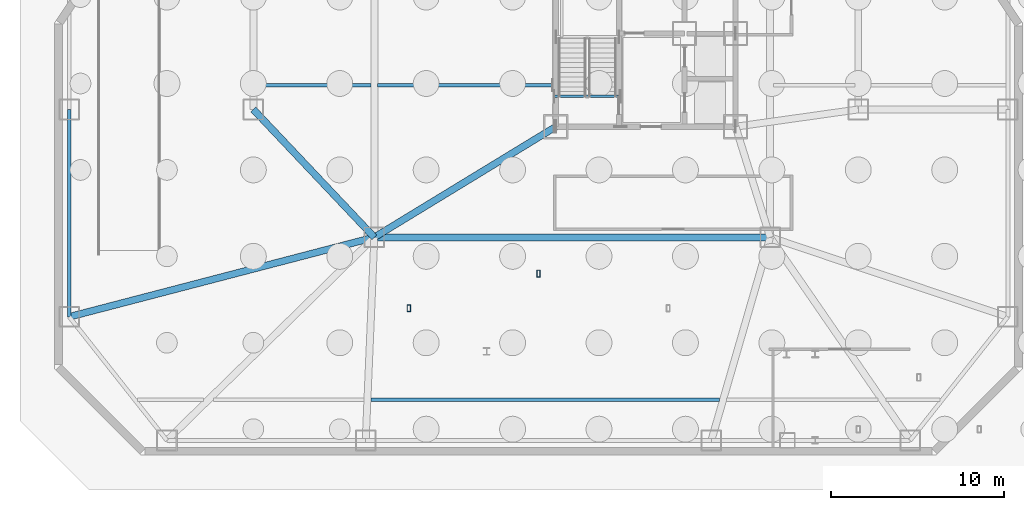
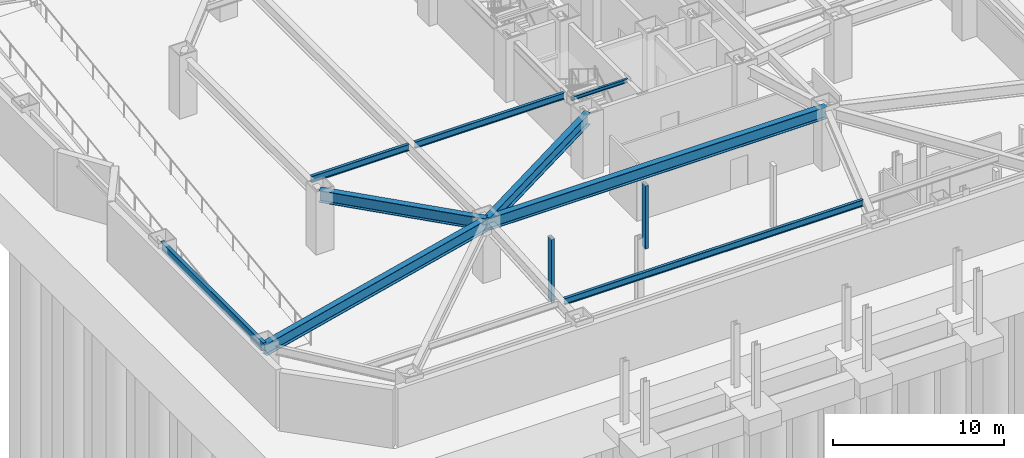
# One storey, part 4 of 15: 9 beams, 2 members.
"""IFC4 building model written with IfcOpenShell, lengths in metres."""

from ifc_helpers import new_model, si_unit, direction, frame, origin, origin_2d, place, context, subcontext, project, spatial, hollow_rectangle, i_section, extrude, material, material_profile, profile_set, type_object, element, save


model = new_model("IFC4")

# Units and contexts
model_context = context("Model", 3, precision=1e-05, world=origin(), true_north=direction((0.0, 1.0)))
body_context = subcontext(model_context, "Body", "Model", "MODEL_VIEW")
ifc_project = project(units=[si_unit("LENGTHUNIT", "METRE"), si_unit("AREAUNIT", "SQUARE_METRE"), si_unit("VOLUMEUNIT", "CUBIC_METRE"), si_unit("PLANEANGLEUNIT", "RADIAN"), si_unit("MASSUNIT", "GRAM", prefix="KILO")], contexts=[model_context])

# Site, building, storey
site_placement = place(None, origin())
site = spatial("IfcSite", under=ifc_project, at=site_placement, CompositionType="ELEMENT")
building_placement = place(site_placement, origin())
building = spatial("IfcBuilding", under=site, at=building_placement, Name="Khamvora Tower", CompositionType="ELEMENT")
storey_placement = place(building_placement, frame((0.0, 0.0, -9.0)))
storey = spatial("IfcBuildingStorey", under=building, at=storey_placement, Name="B2", CompositionType="ELEMENT", Elevation=-9.0)

# Beams
ifc_material = material(Name="Steel S355", Category="steel")
ifc_material_profile_1 = material_profile(ifc_material, i_section(OverallWidth=0.19189453125, OverallDepth=0.462890625, WebThickness=0.010986328125, FlangeThickness=0.01806640625, FilletRadius=0.011962890625, at=origin_2d()), Name="W460x89")
ifc_profile_set_1 = profile_set([ifc_material_profile_1], Name="Steel S355")
beam_type_1 = type_object("IfcBeamType", Name="BM-JS-W460x89", PredefinedType="JOIST", material=ifc_profile_set_1)
beam_1_placement = place(storey_placement, frame((18.294921875, 3.199951171875, 3.948974609375), z_axis=(1.0, 0.0, 0.0), x_axis=(0.0, 1.0, 0.0)))
element("IfcBeam", 1, at=beam_1_placement, inside=storey, type_object=beam_type_1, Name="B2 secondary floor joist 03", PredefinedType="JOIST", context=body_context, shape_type="SweptSolid", body=[
    extrude(i_section(OverallWidth=0.19189453125, OverallDepth=0.462890625, WebThickness=0.010986328125, FlangeThickness=0.01806640625, FilletRadius=0.011962890625, at=origin_2d()), origin(), (0.0, 0.0, 1.0), 20.18212890625),
])
beam_2_placement = place(storey_placement, frame((11.695068359375, 21.39990234375, 3.948974609375), z_axis=(1.0, 0.0, 0.0), x_axis=(0.0, 1.0, 0.0)))
element("IfcBeam", 2, at=beam_2_placement, inside=storey, type_object=beam_type_1, Name="B2 secondary floor joist 06", PredefinedType="JOIST", context=body_context, shape_type="SweptSolid", body=[
    extrude(i_section(OverallWidth=0.19189453125, OverallDepth=0.462890625, WebThickness=0.010986328125, FlangeThickness=0.01806640625, FilletRadius=0.011962890625, at=origin_2d()), origin(), (0.0, 0.0, 1.0), 6.60986328125),
])
beam_3_placement = place(storey_placement, frame((18.695068359375, 21.39990234375, 3.948974609375), z_axis=(1.0, 0.0, 0.0), x_axis=(0.0, 1.0, 0.0)))
element("IfcBeam", 3, at=beam_3_placement, inside=storey, type_object=beam_type_1, Name="B2 secondary floor joist 07", PredefinedType="JOIST", context=body_context, shape_type="SweptSolid", body=[
    extrude(i_section(OverallWidth=0.19189453125, OverallDepth=0.462890625, WebThickness=0.010986328125, FlangeThickness=0.01806640625, FilletRadius=0.011962890625, at=origin_2d()), origin(), (0.0, 0.0, 1.0), 10.10498046875),
])
ifc_material_profile_2 = material_profile(ifc_material, i_section(OverallWidth=0.14697265625, OverallDepth=0.261962890625, WebThickness=0.007080078125, FlangeThickness=0.010986328125, FilletRadius=0.008056640625, at=origin_2d()), Name="W250x39")
ifc_profile_set_2 = profile_set([ifc_material_profile_2], Name="Steel S355")
beam_type_2 = type_object("IfcBeamType", Name="BM-LN-W250x39", PredefinedType="LINTEL", material=ifc_profile_set_2)
beam_4_placement = place(storey_placement, frame((28.89990234375, 20.75, 4.053955078125), z_axis=(1.0, 0.0, 0.0), x_axis=(0.0, 1.0, 0.0)))
element("IfcBeam", 4, at=beam_4_placement, inside=storey, type_object=beam_type_2, Name="B2 exit stair ST-01 landing trimmer beam", PredefinedType="LINTEL", context=body_context, shape_type="SweptSolid", body=[
    extrude(i_section(OverallWidth=0.14697265625, OverallDepth=0.261962890625, WebThickness=0.007080078125, FlangeThickness=0.010986328125, FilletRadius=0.008056640625, at=origin_2d()), origin(), (0.0, 0.0, 1.0), 3.830078125),
])
ifc_material_profile_3 = material_profile(ifc_material, i_section(OverallWidth=0.39990234375, OverallDepth=0.85498046875, WebThickness=0.01806640625, FlangeThickness=0.029052734375, FilletRadius=0.01806640625, at=origin_2d()), Name="W840x299")
ifc_profile_set_3 = profile_set([ifc_material_profile_3], Name="Steel S355")
beam_type_3 = type_object("IfcBeamType", Name="BM-PG-W840x299", PredefinedType="BEAM", material=ifc_profile_set_3)
beam_5_placement = place(storey_placement, frame((18.5, 12.60009765625, 3.751953125), z_axis=(1.0, 0.0, 0.0), x_axis=(0.0, 1.0, 0.0)))
element("IfcBeam", 5, at=beam_5_placement, inside=storey, type_object=beam_type_3, Name="B2 longitudinal frame girder P17-P18", PredefinedType="BEAM", context=body_context, shape_type="SweptSolid", body=[
    extrude(i_section(OverallWidth=0.39990234375, OverallDepth=0.85498046875, WebThickness=0.01806640625, FlangeThickness=0.029052734375, FilletRadius=0.01806640625, at=origin_2d()), origin(), (0.0, 0.0, 1.0), 22.89990234375),
])
beam_6_placement = place(storey_placement, frame((18.5, 12.60009765625, 3.751953125), z_axis=(-0.967673821538, -0.252205025942, 0.0), x_axis=(0.252205025942, -0.967673821538, 0.0)))
element("IfcBeam", 6, at=beam_6_placement, inside=storey, type_object=beam_type_3, Name="B2 primary floor girder P09", PredefinedType="BEAM", context=body_context, shape_type="SweptSolid", body=[
    extrude(i_section(OverallWidth=0.39990234375, OverallDepth=0.85498046875, WebThickness=0.01806640625, FlangeThickness=0.029052734375, FilletRadius=0.01806640625, at=origin_2d()), origin(), (0.0, 0.0, 1.0), 18.239501953125),
])
beam_7_placement = place(storey_placement, frame((29.0, 19.0, 3.751953125), z_axis=(-0.853887856757, -0.520457037691, 0.0), x_axis=(0.520457037691, -0.853887856757, 0.0)))
element("IfcBeam", 7, at=beam_7_placement, inside=storey, type_object=beam_type_3, Name="B2 primary floor girder P17", PredefinedType="BEAM", context=body_context, shape_type="SweptSolid", body=[
    extrude(i_section(OverallWidth=0.39990234375, OverallDepth=0.85498046875, WebThickness=0.01806640625, FlangeThickness=0.029052734375, FilletRadius=0.01806640625, at=origin_2d()), origin(), (0.0, 0.0, 1.0), 12.296630859375),
])
beam_8_placement = place(storey_placement, frame((18.5, 12.60009765625, 3.751953125), z_axis=(-0.687204640029, 0.726463889483, 0.0), x_axis=(-0.726463889483, -0.687204640029, 0.0)))
element("IfcBeam", 8, at=beam_8_placement, inside=storey, type_object=beam_type_3, Name="B2 primary floor girder P21", PredefinedType="BEAM", context=body_context, shape_type="SweptSolid", body=[
    extrude(i_section(OverallWidth=0.39990234375, OverallDepth=0.85498046875, WebThickness=0.01806640625, FlangeThickness=0.029052734375, FilletRadius=0.01806640625, at=origin_2d()), origin(), (0.0, 0.0, 1.0), 10.186279296875),
])
ifc_material_profile_4 = material_profile(ifc_material, i_section(OverallWidth=0.22998046875, OverallDepth=0.616943359375, WebThickness=0.012939453125, FlangeThickness=0.02197265625, FilletRadius=0.013916015625, at=origin_2d()), Name="W610x140")
ifc_profile_set_4 = profile_set([ifc_material_profile_4], Name="Steel S355")
beam_type_4 = type_object("IfcBeamType", Name="BM-SP-W610x140", PredefinedType="SPANDREL", material=ifc_profile_set_4)
beam_9_placement = place(storey_placement, frame((0.85009765625, 20.0, 3.87109375), z_axis=(0.0, -1.0, 0.0), x_axis=(1.0, 0.0, 0.0)))
element("IfcBeam", 9, at=beam_9_placement, inside=storey, type_object=beam_type_4, Name="B2 perimeter spandrel beam P10-P09", PredefinedType="SPANDREL", context=body_context, shape_type="SweptSolid", body=[
    extrude(i_section(OverallWidth=0.22998046875, OverallDepth=0.616943359375, WebThickness=0.012939453125, FlangeThickness=0.02197265625, FilletRadius=0.013916015625, at=origin_2d()), origin(), (0.0, 0.0, 1.0), 12.0),
])

# Members
ifc_material_profile_5 = material_profile(ifc_material, hollow_rectangle(XDim=0.199951171875, YDim=0.39990234375, WallThickness=0.01611328125, at=origin_2d()), Name="RHS400x200x16")
ifc_profile_set_5 = profile_set([ifc_material_profile_5], Name="Steel S355")
member_type = type_object("IfcMemberType", Name="MEM-PS-RHS400", PredefinedType="POST", material=ifc_profile_set_5)
for number, where, z_axis, x_axis, name in (
    (10, (20.5, 8.5, 0.0), (0.0, 0.0, 1.0), (1.0, 0.0, 0.0), "B2 plaza apron structural post ENT1"),
    (11, (28.0, 10.5, 0.0), (0.0, 0.0, 1.0), (1.0, 0.0, 0.0), "B2 plaza apron structural post ENT3"),
):
    element("IfcMember", number, at=place(storey_placement, frame(where, z_axis=z_axis, x_axis=x_axis)), inside=storey, type_object=member_type, Name=name, PredefinedType="POST", context=body_context, shape_type="SweptSolid", body=[
        extrude(hollow_rectangle(XDim=0.199951171875, YDim=0.39990234375, WallThickness=0.01611328125, at=origin_2d()), origin(), (0.0, 0.0, 1.0), 4.5),
    ])

save(model, "model.ifc")
